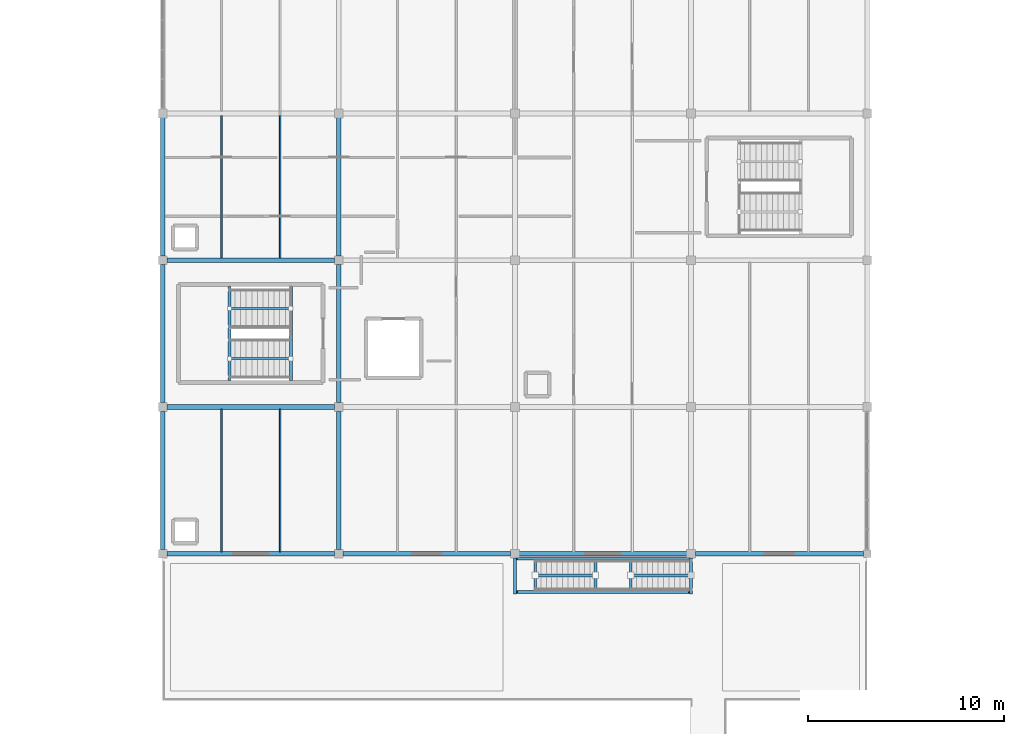
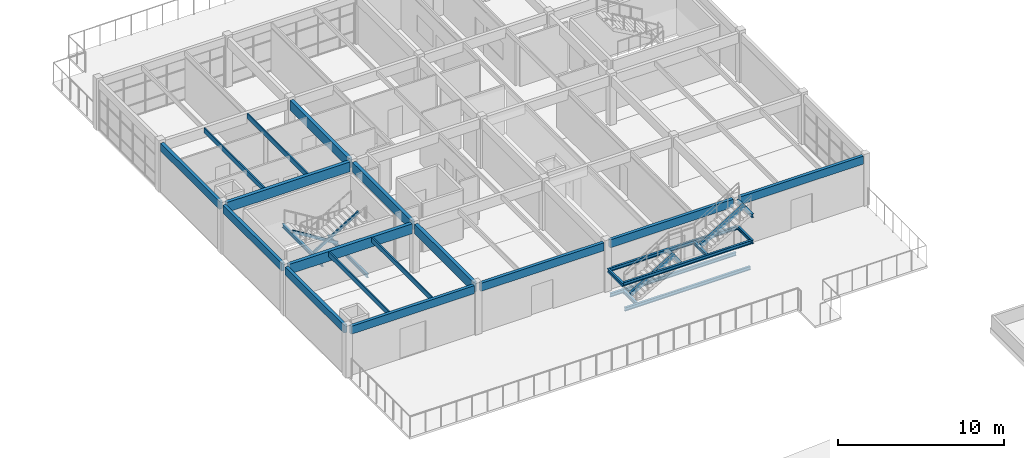
# One storey, part 9 of 45: 28 beams, 4 members.
"""IFC4 building model written with IfcOpenShell, lengths in metres."""

from ifc_helpers import new_model, si_unit, direction, frame, origin, origin_2d, place, context, subcontext, project, spatial, rectangle, hollow_rectangle, i_section, extrude, material, material_profile, profile_set, type_object, element, save


model = new_model("IFC4")

# Units and contexts
model_context = context("Model", 3, precision=1e-05, world=origin(), true_north=direction((0.0, 1.0)))
body_context = subcontext(model_context, "Body", "Model", "MODEL_VIEW")
ifc_project = project(units=[si_unit("LENGTHUNIT", "METRE"), si_unit("AREAUNIT", "SQUARE_METRE"), si_unit("VOLUMEUNIT", "CUBIC_METRE"), si_unit("PLANEANGLEUNIT", "RADIAN"), si_unit("MASSUNIT", "GRAM", prefix="KILO")], contexts=[model_context])

# Site, building, storey
site_placement = place(None, origin())
site = spatial("IfcSite", under=ifc_project, at=site_placement, CompositionType="ELEMENT")
building_placement = place(site_placement, origin())
building = spatial("IfcBuilding", under=site, at=building_placement, Name="Marnridge Secondary College", CompositionType="ELEMENT")
storey_placement = place(building_placement, frame((0.0, 0.0, 12.300048828125)))
storey = spatial("IfcBuildingStorey", under=building, at=storey_placement, Name="L03", CompositionType="ELEMENT", Elevation=12.300048828125)

# Beams
ifc_material_1 = material(Name="Glulam timber GL18", Category="wood")
ifc_material_profile_1 = material_profile(ifc_material_1, rectangle(XDim=0.215087890625, YDim=0.5849609375, at=origin_2d()), Name="GL18 215x585")
ifc_profile_set_1 = profile_set([ifc_material_profile_1], Name="Glulam timber GL18")
beam_type_1 = type_object("IfcBeamType", Name="BM-GL585-EXT", PredefinedType="SPANDREL", material=ifc_profile_set_1)
for number, where, z_axis, x_axis, name in (
    (1, (54.0, 52.718994140625, 3.29736328125), (0.0, 1.0, 0.0), (-1.0, 0.0, 0.0), "Beam BS-L03-1044"),
    (2, (54.0, 60.218994140625, 3.29736328125), (0.0, 1.0, 0.0), (-1.0, 0.0, 0.0), "Beam BS-L03-1047"),
):
    element("IfcBeam", number, at=place(storey_placement, frame(where, z_axis=z_axis, x_axis=x_axis)), inside=storey, type_object=beam_type_1, Name=name, PredefinedType="SPANDREL", context=body_context, shape_type="SweptSolid", body=[
        extrude(rectangle(XDim=0.215087890625, YDim=0.5849609375, at=origin_2d()), origin(), (0.0, 0.0, 1.0), 7.06201171875),
    ])
beam_1_placement = place(storey_placement, frame((54.218994140625, 45.0, 3.29736328125), z_axis=(1.0, 0.0, 0.0), x_axis=(0.0, 1.0, 0.0)))
element("IfcBeam", 3, at=beam_1_placement, inside=storey, type_object=beam_type_1, Name="Beam BS-L03-1064", PredefinedType="SPANDREL", context=body_context, shape_type="SweptSolid", body=[
    extrude(rectangle(XDim=0.215087890625, YDim=0.5849609375, at=origin_2d()), origin(), (0.0, 0.0, 1.0), 8.56201171875),
])
beam_2_placement = place(storey_placement, frame((54.0, 45.218994140625, 3.29736328125), z_axis=(0.0, 1.0, 0.0), x_axis=(-1.0, 0.0, 0.0)))
element("IfcBeam", 4, at=beam_2_placement, inside=storey, type_object=beam_type_1, Name="Beam BS-L03-1065", PredefinedType="SPANDREL", context=body_context, shape_type="SweptSolid", body=[
    extrude(rectangle(XDim=0.215087890625, YDim=0.5849609375, at=origin_2d()), origin(), (0.0, 0.0, 1.0), 7.06201171875),
])
for number, where, z_axis, x_axis, name in (
    (5, (63.218994140625, 45.0, 3.29736328125), (1.0, 0.0, 0.0), (0.0, 1.0, 0.0), "Beam BS-L03-1067"),
    (6, (72.218994140625, 45.0, 3.347412109375), (1.0, 0.0, 0.0), (0.0, 1.0, 0.0), "Beam BS-L03-1078"),
):
    element("IfcBeam", number, at=place(storey_placement, frame(where, z_axis=z_axis, x_axis=x_axis)), inside=storey, type_object=beam_type_1, Name=name, PredefinedType="SPANDREL", context=body_context, shape_type="SweptSolid", body=[
        extrude(rectangle(XDim=0.215087890625, YDim=0.5849609375, at=origin_2d()), origin(), (0.0, 0.0, 1.0), 8.56201171875),
    ])
beam_3_placement = place(storey_placement, frame((81.218994140625, 45.0, 3.347412109375), z_axis=(1.0, 0.0, 0.0), x_axis=(0.0, 1.0, 0.0)))
element("IfcBeam", 7, at=beam_3_placement, inside=storey, type_object=beam_type_1, Name="Beam BS-L03-1080", PredefinedType="SPANDREL", context=body_context, shape_type="SweptSolid", body=[
    extrude(rectangle(XDim=0.215087890625, YDim=0.5849609375, at=origin_2d()), origin(), (0.0, 0.0, 1.0), 8.5869140625),
])
ifc_material_2 = material(Name="Glulam timber GL18", Category="wood")
ifc_material_profile_2 = material_profile(ifc_material_2, rectangle(XDim=0.239990234375, YDim=0.719970703125, at=origin_2d()), Name="GL18 240x720")
ifc_profile_set_2 = profile_set([ifc_material_profile_2], Name="Glulam timber GL18")
beam_type_2 = type_object("IfcBeamType", Name="BM-GL720-INT", PredefinedType="BEAM", material=ifc_profile_set_2)
for number, where, z_axis, x_axis, name in (
    (8, (54.218994140625, 52.5, 3.22998046875), (1.0, 0.0, 0.0), (0.0, 1.0, 0.0), "Beam B-L03-1042"),
    (9, (54.218994140625, 60.0, 3.22998046875), (1.0, 0.0, 0.0), (0.0, 1.0, 0.0), "Beam B-L03-1043"),
):
    element("IfcBeam", number, at=place(storey_placement, frame(where, z_axis=z_axis, x_axis=x_axis)), inside=storey, type_object=beam_type_2, Name=name, PredefinedType="BEAM", context=body_context, shape_type="SweptSolid", body=[
        extrude(rectangle(XDim=0.239990234375, YDim=0.719970703125, at=origin_2d()), origin(), (0.0, 0.0, 1.0), 8.56201171875),
    ])
for number, where, z_axis, x_axis, name in (
    (10, (63.0, 52.718994140625, 3.22998046875), (0.0, 1.0, 0.0), (-1.0, 0.0, 0.0), "Beam B-L03-1045"),
    (11, (63.0, 60.218994140625, 3.22998046875), (0.0, 1.0, 0.0), (-1.0, 0.0, 0.0), "Beam B-L03-1048"),
    (12, (63.0, 45.218994140625, 3.22998046875), (0.0, 1.0, 0.0), (-1.0, 0.0, 0.0), "Beam B-L03-1066"),
):
    element("IfcBeam", number, at=place(storey_placement, frame(where, z_axis=z_axis, x_axis=x_axis)), inside=storey, type_object=beam_type_2, Name=name, PredefinedType="BEAM", context=body_context, shape_type="SweptSolid", body=[
        extrude(rectangle(XDim=0.239990234375, YDim=0.719970703125, at=origin_2d()), origin(), (0.0, 0.0, 1.0), 7.06201171875),
    ])
ifc_material_3 = material(Name="Engineered timber LVL E13.2", Category="wood")
ifc_material_profile_3 = material_profile(ifc_material_3, rectangle(XDim=0.090087890625, YDim=0.360107421875, at=origin_2d()), Name="LVL 90x360")
ifc_profile_set_3 = profile_set([ifc_material_profile_3], Name="Engineered timber LVL E13.2")
beam_type_3 = type_object("IfcBeamType", Name="BM-LVL360-INT", PredefinedType="JOIST", material=ifc_profile_set_3)
for number, where, z_axis, x_axis, name in (
    (13, (57.0, 60.114013671875, 3.409912109375), (0.0, 1.0, 0.0), (-1.0, 0.0, 0.0), "Beam BJ-L03-1082"),
    (14, (60.0, 60.114013671875, 3.409912109375), (0.0, 1.0, 0.0), (-1.0, 0.0, 0.0), "Beam BJ-L03-1083"),
):
    element("IfcBeam", number, at=place(storey_placement, frame(where, z_axis=z_axis, x_axis=x_axis)), inside=storey, type_object=beam_type_3, Name=name, PredefinedType="JOIST", context=body_context, shape_type="SweptSolid", body=[
        extrude(rectangle(XDim=0.090087890625, YDim=0.360107421875, at=origin_2d()), origin(), (0.0, 0.0, 1.0), 7.27197265625),
    ])
for number, where, z_axis, x_axis, name in (
    (15, (57.0, 45.1015625, 3.409912109375), (0.0, 1.0, 0.0), (-1.0, 0.0, 0.0), "Beam BJ-L03-1093"),
    (16, (60.0, 45.1015625, 3.409912109375), (0.0, 1.0, 0.0), (-1.0, 0.0, 0.0), "Beam BJ-L03-1094"),
):
    element("IfcBeam", number, at=place(storey_placement, frame(where, z_axis=z_axis, x_axis=x_axis)), inside=storey, type_object=beam_type_3, Name=name, PredefinedType="JOIST", context=body_context, shape_type="SweptSolid", body=[
        extrude(rectangle(XDim=0.090087890625, YDim=0.360107421875, at=origin_2d()), origin(), (0.0, 0.0, 1.0), 7.284423828125),
    ])
ifc_material_4 = material(Name="Structural steel Grade 350 (AS/NZS 3679.1/.2, fy = 340-360 MPa)", Category="steel")
ifc_material_profile_4 = material_profile(ifc_material_4, i_section(OverallWidth=0.146240234375, OverallDepth=0.256103515625, WebThickness=0.00634765625, FlangeThickness=0.010986328125, FilletRadius=0.0087890625, at=origin_2d()), Name="250UB37.3")
ifc_profile_set_4 = profile_set([ifc_material_profile_4], Name="Structural steel Grade 350 (AS/NZS 3679.1/.2, fy = 340-360 MPa)")
beam_type_4 = type_object("IfcBeamType", Name="BM-UB250-EXT", PredefinedType="LINTEL", material=ifc_profile_set_4)
for number, where, z_axis, x_axis, name in (
    (17, (60.550048828125, 53.842041015625, -0.358154296875), (0.0, 1.0, 0.0), (-1.0, 0.0, 0.0), "Stair landing trimmer beam BT-L03-006"),
    (18, (57.4150390625, 53.842041015625, 1.57177734375), (0.0, 1.0, 0.0), (-1.0, 0.0, 0.0), "Stair landing trimmer beam BT-L03-007"),
):
    element("IfcBeam", number, at=place(storey_placement, frame(where, z_axis=z_axis, x_axis=x_axis)), inside=storey, type_object=beam_type_4, Name=name, PredefinedType="LINTEL", context=body_context, shape_type="SweptSolid", body=[
        extrude(i_section(OverallWidth=0.146240234375, OverallDepth=0.256103515625, WebThickness=0.00634765625, FlangeThickness=0.010986328125, FilletRadius=0.0087890625, at=origin_2d()), origin(), (0.0, 0.0, 1.0), 4.802978515625),
    ])
for number, where, z_axis, x_axis, name in (
    (19, (72.0, 44.775390625, 1.592041015625), (0.0, -1.0, 0.0), (1.0, 0.0, 0.0), "Exterior stair outrigger bracket BZ-L03-083"),
    (20, (81.0, 44.775390625, 1.592041015625), (0.0, -1.0, 0.0), (1.0, 0.0, 0.0), "Exterior stair outrigger bracket BZ-L03-084"),
):
    element("IfcBeam", number, at=place(storey_placement, frame(where, z_axis=z_axis, x_axis=x_axis)), inside=storey, type_object=beam_type_4, Name=name, PredefinedType="LINTEL", context=body_context, shape_type="SweptSolid", body=[
        extrude(i_section(OverallWidth=0.146240234375, OverallDepth=0.256103515625, WebThickness=0.00634765625, FlangeThickness=0.010986328125, FilletRadius=0.0087890625, at=origin_2d()), origin(), (0.0, 0.0, 1.0), 1.825439453125),
    ])
for number, where, z_axis, x_axis, name in (
    (21, (72.072509765625, 43.0400390625, 1.592041015625), (1.0, 0.0, 0.0), (0.0, 1.0, 0.0), "Exterior stair landing beam BZ-L03-085"),
    (22, (72.072509765625, 44.760009765625, 1.592041015625), (1.0, 0.0, 0.0), (0.0, 1.0, 0.0), "Exterior stair landing beam BZ-L03-086"),
):
    element("IfcBeam", number, at=place(storey_placement, frame(where, z_axis=z_axis, x_axis=x_axis)), inside=storey, type_object=beam_type_4, Name=name, PredefinedType="LINTEL", context=body_context, shape_type="SweptSolid", body=[
        extrude(i_section(OverallWidth=0.146240234375, OverallDepth=0.256103515625, WebThickness=0.00634765625, FlangeThickness=0.010986328125, FilletRadius=0.0087890625, at=origin_2d()), origin(), (0.0, 0.0, 1.0), 8.85498046875),
    ])
for number, where, z_axis, x_axis, name in (
    (23, (76.1201171875, 43.112548828125, 1.592041015625), (0.0, 1.0, 0.0), (-1.0, 0.0, 0.0), "Exterior stair flight end trimmer BZ-L03-087"),
    (24, (77.919921875, 43.112548828125, 1.592041015625), (0.0, 1.0, 0.0), (-1.0, 0.0, 0.0), "Exterior stair flight end trimmer BZ-L03-088"),
):
    element("IfcBeam", number, at=place(storey_placement, frame(where, z_axis=z_axis, x_axis=x_axis)), inside=storey, type_object=beam_type_4, Name=name, PredefinedType="LINTEL", context=body_context, shape_type="SweptSolid", body=[
        extrude(i_section(OverallWidth=0.146240234375, OverallDepth=0.256103515625, WebThickness=0.00634765625, FlangeThickness=0.010986328125, FilletRadius=0.0087890625, at=origin_2d()), origin(), (0.0, 0.0, 1.0), 1.574951171875),
    ])
for number, where, z_axis, x_axis, name in (
    (25, (72.12939453125, 43.0400390625, -0.2880859375), (1.0, 0.0, 0.0), (0.0, 1.0, 0.0), "Exterior stair landing beam BZ-L03-089"),
    (26, (72.12939453125, 44.760009765625, -0.2880859375), (1.0, 0.0, 0.0), (0.0, 1.0, 0.0), "Exterior stair landing beam BZ-L03-090"),
):
    element("IfcBeam", number, at=place(storey_placement, frame(where, z_axis=z_axis, x_axis=x_axis)), inside=storey, type_object=beam_type_4, Name=name, PredefinedType="LINTEL", context=body_context, shape_type="SweptSolid", body=[
        extrude(i_section(OverallWidth=0.146240234375, OverallDepth=0.256103515625, WebThickness=0.00634765625, FlangeThickness=0.010986328125, FilletRadius=0.0087890625, at=origin_2d()), origin(), (0.0, 0.0, 1.0), 8.7412109375),
    ])
beam_4_placement = place(storey_placement, frame((73.0400390625, 43.112548828125, -0.2880859375), z_axis=(0.0, 1.0, 0.0), x_axis=(-1.0, 0.0, 0.0)))
element("IfcBeam", 27, at=beam_4_placement, inside=storey, type_object=beam_type_4, Name="Exterior stair flight end trimmer BZ-L03-091", PredefinedType="LINTEL", context=body_context, shape_type="SweptSolid", body=[
    extrude(i_section(OverallWidth=0.146240234375, OverallDepth=0.256103515625, WebThickness=0.00634765625, FlangeThickness=0.010986328125, FilletRadius=0.0087890625, at=origin_2d()), origin(), (0.0, 0.0, 1.0), 1.574951171875),
])
beam_5_placement = place(storey_placement, frame((81.0, 44.775390625, 3.511962890625), z_axis=(0.0, -1.0, 0.0), x_axis=(1.0, 0.0, 0.0)))
element("IfcBeam", 28, at=beam_5_placement, inside=storey, type_object=beam_type_4, Name="Exterior stair arrival outrigger BZ-L03-092", PredefinedType="LINTEL", context=body_context, shape_type="SweptSolid", body=[
    extrude(i_section(OverallWidth=0.146240234375, OverallDepth=0.256103515625, WebThickness=0.00634765625, FlangeThickness=0.010986328125, FilletRadius=0.0087890625, at=origin_2d()), origin(), (0.0, 0.0, 1.0), 1.825439453125),
])

# Members
ifc_material_5 = material(Name="Cold-formed steel Grade C350L0 (AS/NZS 1163, fy = 350 MPa)", Category="steel")
ifc_material_profile_5 = material_profile(ifc_material_5, hollow_rectangle(XDim=0.10009765625, YDim=0.199951171875, WallThickness=0.006103515625, at=origin_2d()), Name="200x100x6.0RHS")
ifc_profile_set_5 = profile_set([ifc_material_profile_5], Name="Cold-formed steel Grade C350L0 (AS/NZS 1163, fy = 350 MPa)")
member_type_1 = type_object("IfcMemberType", Name="MB-STR-RHS200", PredefinedType="STRINGER", material=ifc_profile_set_5)
member_1_placement = place(storey_placement, frame((60.550048828125, 57.530029296875, -0.137939453125), z_axis=(-0.851574057746, 0.0, 0.52423432182), x_axis=(0.0, -1.0, 0.0)))
element("IfcMember", 29, at=member_1_placement, inside=storey, type_object=member_type_1, Name="Stair stringer STR-007", PredefinedType="STRINGER", context=body_context, shape_type="SweptSolid", body=[
    extrude(hollow_rectangle(XDim=0.10009765625, YDim=0.199951171875, WallThickness=0.006103515625, at=origin_2d()), origin(), (0.0, 0.0, 1.0), 3.681396484375),
])
member_2_placement = place(storey_placement, frame((57.4150390625, 54.969970703125, 1.7919921875), z_axis=(0.856420037576, 0.0, 0.516279690902), x_axis=(0.0, 1.0, 0.0)))
element("IfcMember", 30, at=member_2_placement, inside=storey, type_object=member_type_1, Name="Stair stringer STR-008", PredefinedType="STRINGER", context=body_context, shape_type="SweptSolid", body=[
    extrude(hollow_rectangle(XDim=0.10009765625, YDim=0.199951171875, WallThickness=0.006103515625, at=origin_2d()), origin(), (0.0, 0.0, 1.0), 3.66064453125),
])
ifc_material_6 = material(Name="Cold-formed steel Grade C350L0 (AS/NZS 1163, fy = 350 MPa)", Category="steel")
ifc_material_profile_6 = material_profile(ifc_material_6, hollow_rectangle(XDim=0.14990234375, YDim=0.300048828125, WallThickness=0.008056640625, at=origin_2d()), Name="300x150x8.0RHS")
ifc_profile_set_6 = profile_set([ifc_material_profile_6], Name="Cold-formed steel Grade C350L0 (AS/NZS 1163, fy = 350 MPa)")
member_type_2 = type_object("IfcMemberType", Name="MB-STR-RHS300", PredefinedType="STRINGER", material=ifc_profile_set_6)
member_3_placement = place(storey_placement, frame((73.0400390625, 43.89990234375, -0.0400390625), z_axis=(0.853576048954, 0.0, 0.520968260696), x_axis=(0.0, 1.0, 0.0)))
element("IfcMember", 31, at=member_3_placement, inside=storey, type_object=member_type_2, Name="Exterior stair stringer STR-065", PredefinedType="STRINGER", context=body_context, shape_type="SweptSolid", body=[
    extrude(hollow_rectangle(XDim=0.14990234375, YDim=0.300048828125, WallThickness=0.008056640625, at=origin_2d()), origin(), (0.0, 0.0, 1.0), 3.6083984375),
])
member_4_placement = place(storey_placement, frame((77.919921875, 43.89990234375, 1.83984375), z_axis=(0.848602372252, 0.0, 0.529031203057), x_axis=(0.0, 1.0, 0.0)))
element("IfcMember", 32, at=member_4_placement, inside=storey, type_object=member_type_2, Name="Exterior stair stringer STR-066", PredefinedType="STRINGER", context=body_context, shape_type="SweptSolid", body=[
    extrude(hollow_rectangle(XDim=0.14990234375, YDim=0.300048828125, WallThickness=0.008056640625, at=origin_2d()), origin(), (0.0, 0.0, 1.0), 3.629638671875),
])

save(model, "model.ifc")
